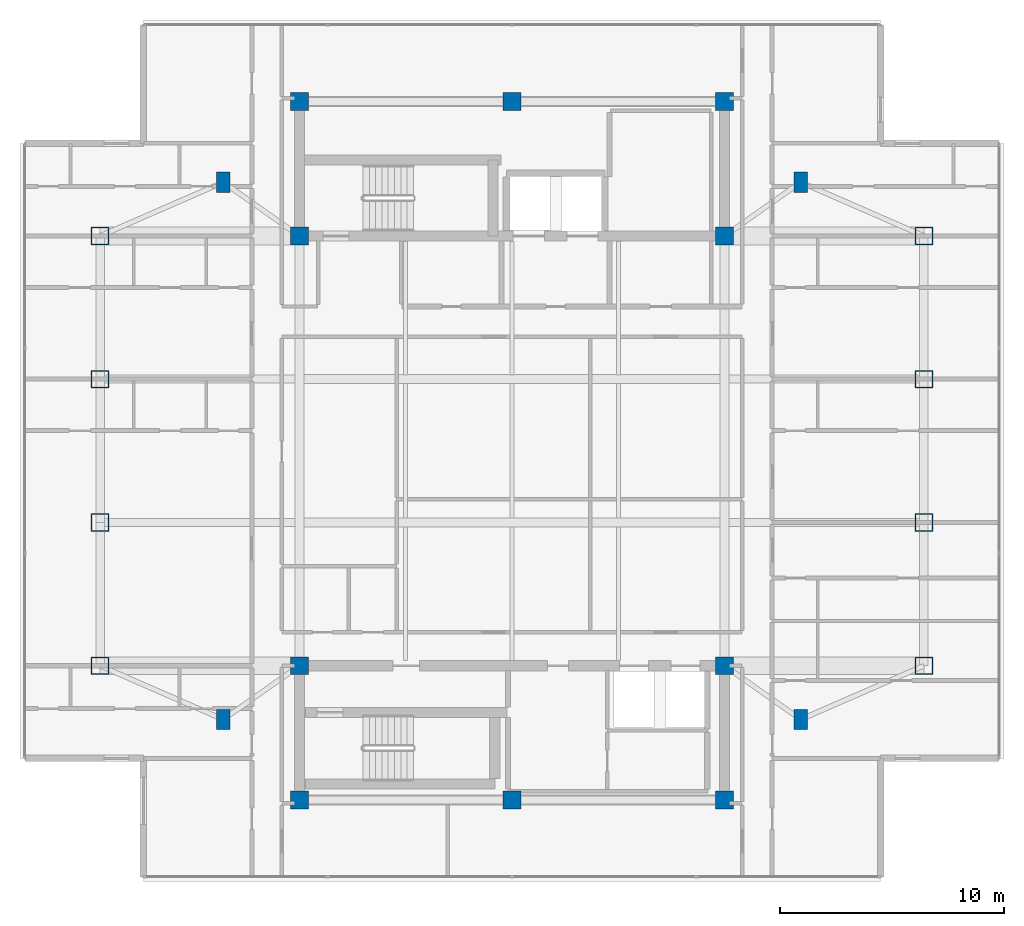
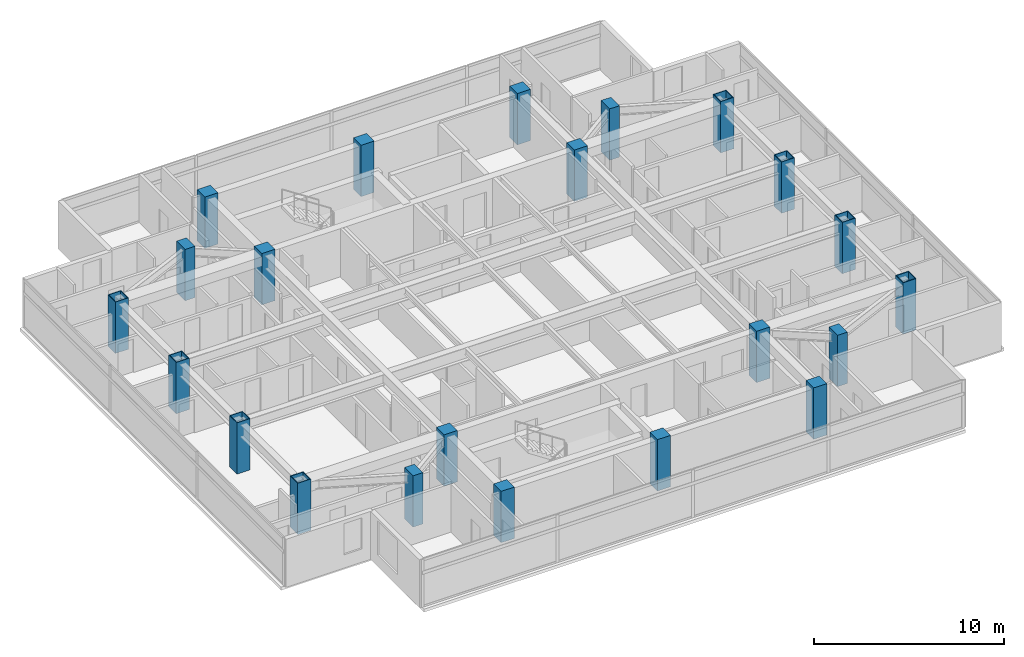
# One storey, part 1 of 14: 22 columns.
"""IFC4 building model written with IfcOpenShell, lengths in metres."""

from ifc_helpers import new_model, si_unit, direction, frame, origin, origin_2d, place, context, subcontext, project, spatial, rectangle, hollow_rectangle, extrude, material, material_profile, profile_set, type_object, element, save


model = new_model("IFC4")

# Units and contexts
model_context = context("Model", 3, precision=1e-05, world=origin(), true_north=direction((0.0, 1.0)))
body_context = subcontext(model_context, "Body", "Model", "MODEL_VIEW")
ifc_project = project(units=[si_unit("LENGTHUNIT", "METRE"), si_unit("AREAUNIT", "SQUARE_METRE"), si_unit("VOLUMEUNIT", "CUBIC_METRE"), si_unit("PLANEANGLEUNIT", "RADIAN"), si_unit("MASSUNIT", "GRAM", prefix="KILO")], contexts=[model_context])

# Site, building, storey
site_placement = place(None, origin())
site = spatial("IfcSite", under=ifc_project, at=site_placement, CompositionType="ELEMENT")
building_placement = place(site_placement, origin())
building = spatial("IfcBuilding", under=site, at=building_placement, Name="Mirazonda Arch Towers", CompositionType="ELEMENT")
storey_placement = place(building_placement, frame((0.0, 0.0, 239.199951171875)))
storey = spatial("IfcBuildingStorey", under=building, at=storey_placement, Name="L68", CompositionType="ELEMENT", Elevation=239.199951171875)

# Columns
ifc_material_1 = material(Name="Concrete C50/60", Category="concrete")
ifc_material_profile_1 = material_profile(ifc_material_1, rectangle(XDim=0.800048828125, YDim=0.800048828125, at=origin_2d()), Name="RC800x800")
ifc_profile_set_1 = profile_set([ifc_material_profile_1], Name="Concrete C50/60")
column_type_1 = type_object("IfcColumnType", Name="COL-INT-RC800x800", PredefinedType="COLUMN", material=ifc_profile_set_1)
for number, where, z_axis, x_axis, name in (
    (1, (11.0, 12.39990234375, 0.0), (0.0, 0.0, 1.0), (1.0, 0.0, 0.0), "L68 T1 Core Column 01"),
    (2, (20.5, 12.39990234375, 0.0), (0.0, 0.0, 1.0), (1.0, 0.0, 0.0), "L68 T1 Core Column 02"),
    (3, (30.0, 12.39990234375, 0.0), (0.0, 0.0, 1.0), (1.0, 0.0, 0.0), "L68 T1 Core Column 03"),
    (4, (11.0, 18.39990234375, 0.0), (0.0, 0.0, 1.0), (1.0, 0.0, 0.0), "L68 T1 Core Column 04"),
    (5, (30.0, 18.39990234375, 0.0), (0.0, 0.0, 1.0), (1.0, 0.0, 0.0), "L68 T1 Core Column 05"),
    (6, (11.0, 37.60009765625, 0.0), (0.0, 0.0, 1.0), (1.0, 0.0, 0.0), "L68 T1 Core Column 06"),
    (7, (30.0, 37.60009765625, 0.0), (0.0, 0.0, 1.0), (1.0, 0.0, 0.0), "L68 T1 Core Column 07"),
    (8, (11.0, 43.60009765625, 0.0), (0.0, 0.0, 1.0), (1.0, 0.0, 0.0), "L68 T1 Core Column 08"),
    (9, (20.5, 43.60009765625, 0.0), (0.0, 0.0, 1.0), (1.0, 0.0, 0.0), "L68 T1 Core Column 09"),
    (10, (30.0, 43.60009765625, 0.0), (0.0, 0.0, 1.0), (1.0, 0.0, 0.0), "L68 T1 Core Column 10"),
):
    element("IfcColumn", number, at=place(storey_placement, frame(where, z_axis=z_axis, x_axis=x_axis)), inside=storey, type_object=column_type_1, Name=name, PredefinedType="COLUMN", context=body_context, shape_type="SweptSolid", body=[
        extrude(rectangle(XDim=0.800048828125, YDim=0.800048828125, at=origin_2d()), origin(), (0.0, 0.0, 1.0), 3.300048828125),
    ])
ifc_material_2 = material(Name="Steel ASTM A572 Grade 50", Category="steel")
ifc_material_profile_2 = material_profile(ifc_material_2, hollow_rectangle(XDim=0.800048828125, YDim=0.800048828125, WallThickness=0.044921875, at=origin_2d()), Name="BOX800x800x45")
ifc_profile_set_2 = profile_set([ifc_material_profile_2], Name="Steel ASTM A572 Grade 50")
column_type_2 = type_object("IfcColumnType", Name="MCOL-EXT-BOX800x800x45", PredefinedType="COLUMN", material=ifc_profile_set_2)
for number, where, z_axis, x_axis, name in (
    (11, (2.10009765625, 18.39990234375, 0.0), (0.0, 0.0, 1.0), (1.0, 0.0, 0.0), "L68 T1 Composite Mega-Column 01"),
    (12, (2.10009765625, 24.800048828125, 0.0), (0.0, 0.0, 1.0), (1.0, 0.0, 0.0), "L68 T1 Composite Mega-Column 02"),
    (13, (2.10009765625, 31.199951171875, 0.0), (0.0, 0.0, 1.0), (1.0, 0.0, 0.0), "L68 T1 Composite Mega-Column 03"),
    (14, (2.10009765625, 37.60009765625, 0.0), (0.0, 0.0, 1.0), (1.0, 0.0, 0.0), "L68 T1 Composite Mega-Column 04"),
    (15, (38.89990234375, 18.39990234375, 0.0), (0.0, 0.0, 1.0), (1.0, 0.0, 0.0), "L68 T1 Composite Mega-Column 05"),
    (16, (38.89990234375, 24.800048828125, 0.0), (0.0, 0.0, 1.0), (1.0, 0.0, 0.0), "L68 T1 Composite Mega-Column 06"),
    (17, (38.89990234375, 31.199951171875, 0.0), (0.0, 0.0, 1.0), (1.0, 0.0, 0.0), "L68 T1 Composite Mega-Column 07"),
    (18, (38.89990234375, 37.60009765625, 0.0), (0.0, 0.0, 1.0), (1.0, 0.0, 0.0), "L68 T1 Composite Mega-Column 08"),
):
    element("IfcColumn", number, at=place(storey_placement, frame(where, z_axis=z_axis, x_axis=x_axis)), inside=storey, type_object=column_type_2, Name=name, PredefinedType="COLUMN", context=body_context, shape_type="SweptSolid", body=[
        extrude(hollow_rectangle(XDim=0.800048828125, YDim=0.800048828125, WallThickness=0.044921875, at=origin_2d()), origin(), (0.0, 0.0, 1.0), 3.300048828125),
    ])
ifc_material_profile_3 = material_profile(ifc_material_1, rectangle(XDim=0.60009765625, YDim=0.89990234375, at=origin_2d()), Name="RC900x600")
ifc_profile_set_3 = profile_set([ifc_material_profile_3], Name="Concrete C50/60")
column_type_3 = type_object("IfcColumnType", Name="PIL-EXT-RC900x600", PredefinedType="PILASTER", material=ifc_profile_set_3)
for number, where, z_axis, x_axis, name in (
    (19, (7.60009765625, 16.0, 0.0), (0.0, 0.0, 1.0), (1.0, 0.0, 0.0), "L68 T1 Corner Pilaster 01"),
    (20, (33.39990234375, 16.0, 0.0), (0.0, 0.0, 1.0), (1.0, 0.0, 0.0), "L68 T1 Corner Pilaster 02"),
    (21, (7.60009765625, 40.0, 0.0), (0.0, 0.0, 1.0), (1.0, 0.0, 0.0), "L68 T1 Corner Pilaster 03"),
    (22, (33.39990234375, 40.0, 0.0), (0.0, 0.0, 1.0), (1.0, 0.0, 0.0), "L68 T1 Corner Pilaster 04"),
):
    element("IfcColumn", number, at=place(storey_placement, frame(where, z_axis=z_axis, x_axis=x_axis)), inside=storey, type_object=column_type_3, Name=name, PredefinedType="PILASTER", context=body_context, shape_type="SweptSolid", body=[
        extrude(rectangle(XDim=0.60009765625, YDim=0.89990234375, at=origin_2d()), origin(), (0.0, 0.0, 1.0), 3.300048828125),
    ])

save(model, "model.ifc")
